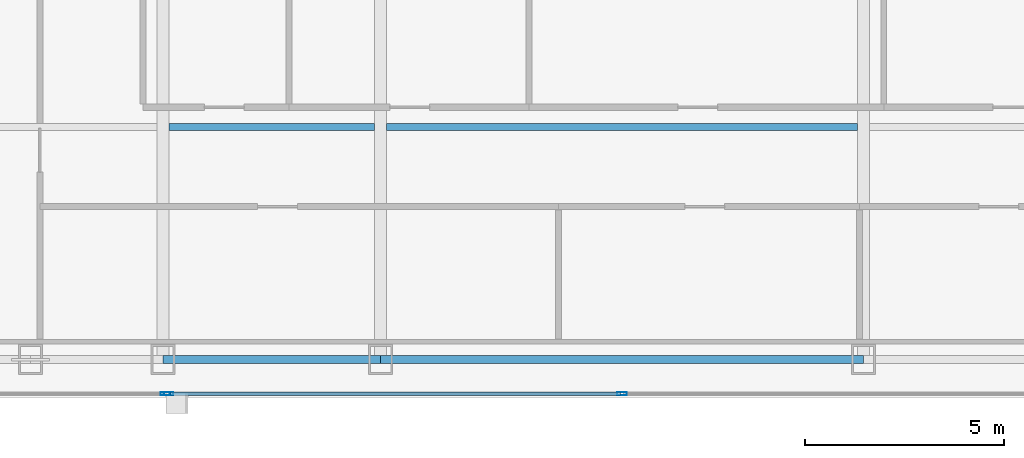
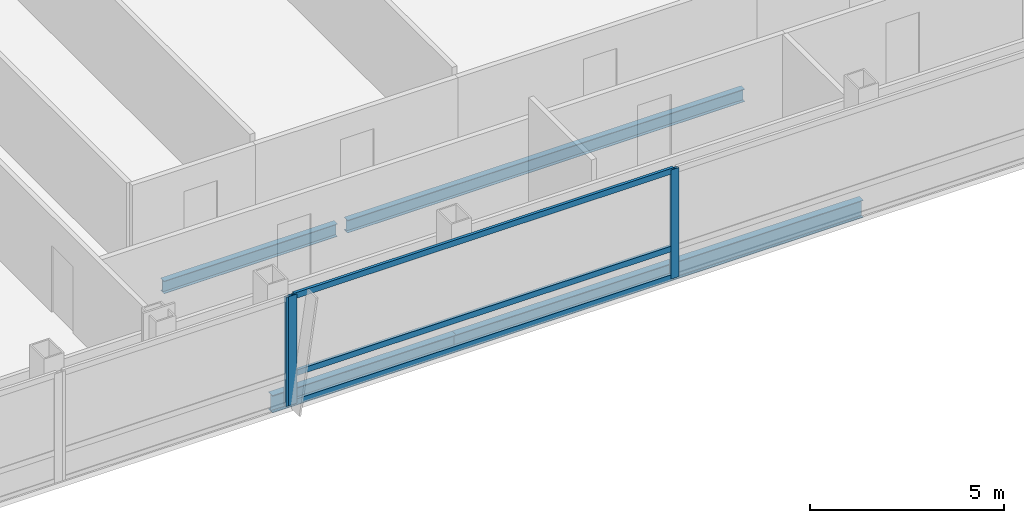
# One storey, part 8 of 30: 6 members, 4 beams, 2 elements without a shape of their own.
"""IFC4 building model written with IfcOpenShell, lengths in metres."""

from ifc_helpers import new_model, si_unit, direction, frame, origin, origin_2d, place, context, subcontext, project, spatial, hollow_rectangle, i_section, extrude, material, material_profile, profile_set, type_object, element, aggregate, save


model = new_model("IFC4")

# Units and contexts
model_context = context("Model", 3, precision=1e-05, world=origin(), true_north=direction((0.0, 1.0)))
body_context = subcontext(model_context, "Body", "Model", "MODEL_VIEW")
ifc_project = project(units=[si_unit("LENGTHUNIT", "METRE"), si_unit("AREAUNIT", "SQUARE_METRE"), si_unit("VOLUMEUNIT", "CUBIC_METRE"), si_unit("PLANEANGLEUNIT", "RADIAN"), si_unit("MASSUNIT", "GRAM", prefix="KILO")], contexts=[model_context])

# Site, building, storey
site_placement = place(None, origin())
site = spatial("IfcSite", under=ifc_project, at=site_placement, CompositionType="ELEMENT")
building_placement = place(site_placement, origin())
building = spatial("IfcBuilding", under=site, at=building_placement, Name="Khoronbel Lancet Exchange", CompositionType="ELEMENT")
storey_placement = place(building_placement, frame((0.0, 0.0, 269.800048828125)))
storey = spatial("IfcBuildingStorey", under=building, at=storey_placement, Name="L69", CompositionType="ELEMENT", Elevation=269.800048828125)

# Beams
ifc_material_1 = material(Name="Steel S355", Category="steel")
ifc_material_profile_1 = material_profile(ifc_material_1, i_section(OverallWidth=0.179931640625, OverallDepth=0.39990234375, WebThickness=0.008544921875, FlangeThickness=0.013427734375, at=origin_2d()), Name="IPE 400")
ifc_profile_set_1 = profile_set([ifc_material_profile_1], Name="Steel S355")
beam_type_1 = type_object("IfcBeamType", Name="BM-BJ5", PredefinedType="JOIST", material=ifc_profile_set_1)
beam_1_placement = place(storey_placement, frame((25.050048828125, 16.0, -0.360107421875), z_axis=(1.0, 0.0, 0.0), x_axis=(0.0, 1.0, 0.0)))
element("IfcBeam", 1, at=beam_1_placement, inside=storey, type_object=beam_type_1, Name="Level L69 secondary composite joist J02", PredefinedType="JOIST", context=body_context, shape_type="SweptSolid", body=[
    extrude(i_section(OverallWidth=0.179931640625, OverallDepth=0.39990234375, WebThickness=0.008544921875, FlangeThickness=0.013427734375, at=origin_2d()), origin(), (0.0, 0.0, 1.0), 5.175048828125),
])
beam_2_placement = place(storey_placement, frame((30.52490234375, 16.0, -0.360107421875), z_axis=(1.0, 0.0, 0.0), x_axis=(0.0, 1.0, 0.0)))
element("IfcBeam", 2, at=beam_2_placement, inside=storey, type_object=beam_type_1, Name="Level L69 secondary composite joist J03", PredefinedType="JOIST", context=body_context, shape_type="SweptSolid", body=[
    extrude(i_section(OverallWidth=0.179931640625, OverallDepth=0.39990234375, WebThickness=0.008544921875, FlangeThickness=0.013427734375, at=origin_2d()), origin(), (0.0, 0.0, 1.0), 11.85009765625),
])
ifc_material_profile_2 = material_profile(ifc_material_1, i_section(OverallWidth=0.2099609375, OverallDepth=0.550048828125, WebThickness=0.010986328125, FlangeThickness=0.01708984375, at=origin_2d()), Name="IPE 550")
ifc_profile_set_2 = profile_set([ifc_material_profile_2], Name="Steel S355")
beam_type_2 = type_object("IfcBeamType", Name="BM-BSP3", PredefinedType="SPANDREL", material=ifc_profile_set_2)
beam_3_placement = place(storey_placement, frame((24.89990234375, 10.14990234375, -0.43505859375), z_axis=(1.0, 0.0, 0.0), x_axis=(0.0, 1.0, 0.0)))
element("IfcBeam", 3, at=beam_3_placement, inside=storey, type_object=beam_type_2, Name="Level L69 perimeter spandrel beam SP04", PredefinedType="SPANDREL", context=body_context, shape_type="SweptSolid", body=[
    extrude(i_section(OverallWidth=0.2099609375, OverallDepth=0.550048828125, WebThickness=0.010986328125, FlangeThickness=0.01708984375, at=origin_2d()), origin(), (0.0, 0.0, 1.0), 5.47509765625),
])
beam_4_placement = place(storey_placement, frame((30.375, 10.14990234375, -0.43505859375), z_axis=(1.0, 0.0, 0.0), x_axis=(0.0, 1.0, 0.0)))
element("IfcBeam", 4, at=beam_4_placement, inside=storey, type_object=beam_type_2, Name="Level L69 perimeter spandrel beam SP05", PredefinedType="SPANDREL", context=body_context, shape_type="SweptSolid", body=[
    extrude(i_section(OverallWidth=0.2099609375, OverallDepth=0.550048828125, WebThickness=0.010986328125, FlangeThickness=0.01708984375, at=origin_2d()), origin(), (0.0, 0.0, 1.0), 12.14990234375),
])

# Curtain wall, member
ifc_material_2 = material(Name="Low-E Solar Control Insulating Glass", Category="glass")
curtain_wall_type = type_object("IfcCurtainWallType", Name="CW-3", PredefinedType="NOTDEFINED", material=ifc_material_2)
curtain_wall_1_placement = place(storey_placement, origin())
curtain_wall_1 = element("IfcCurtainWall", 5, at=curtain_wall_1_placement, inside=storey, type_object=curtain_wall_type, Name="Unitised curtain wall CW-L69-SWB", PredefinedType="NOTDEFINED")
ifc_material_3 = material(Name="Bronze-Anodised Aluminium 6063-T6", Category="aluminium")
ifc_material_profile_3 = material_profile(ifc_material_3, hollow_rectangle(XDim=0.0849609375, YDim=0.239990234375, WallThickness=0.006103515625, at=origin_2d()), Name="ALU MULLION 85x240")
ifc_profile_set_3 = profile_set([ifc_material_profile_3], Name="Bronze-Anodised Aluminium 6063-T6")
member_type_1 = type_object("IfcMemberType", Name="MEM-CWM1", PredefinedType="MULLION", material=ifc_profile_set_3)
member_1_placement = place(storey_placement, frame((24.95751953125, 9.2900390625, 0.0), z_axis=(0.0, 0.0, 1.0), x_axis=(0.0, 1.0, 0.0)))
member_1 = element("IfcMember", 6, at=member_1_placement, type_object=member_type_1, Name="CW3 mullion 2", PredefinedType="MULLION", context=body_context, shape_type="SweptSolid", body=[
    extrude(hollow_rectangle(XDim=0.0849609375, YDim=0.239990234375, WallThickness=0.006103515625, at=origin_2d()), origin(), (0.0, 0.0, 1.0), 3.43994140625),
])
aggregate(curtain_wall_1, [member_1])

# Curtain wall, members
curtain_wall_2_placement = place(storey_placement, origin())
curtain_wall_2 = element("IfcCurtainWall", 7, at=curtain_wall_2_placement, inside=storey, type_object=curtain_wall_type, Name="Unitised curtain wall CW-L69-SCV", PredefinedType="NOTDEFINED")
member_2_placement = place(storey_placement, frame((25.04248046875, 9.2900390625, 0.0), z_axis=(0.0, 0.0, 1.0), x_axis=(0.0, 1.0, 0.0)))
member_2 = element("IfcMember", 8, at=member_2_placement, type_object=member_type_1, Name="CW3 mullion 1", PredefinedType="MULLION", context=body_context, shape_type="SweptSolid", body=[
    extrude(hollow_rectangle(XDim=0.0849609375, YDim=0.239990234375, WallThickness=0.006103515625, at=origin_2d()), origin(), (0.0, 0.0, 1.0), 3.43994140625),
])
member_3_placement = place(storey_placement, frame((36.449951171875, 9.2900390625, 0.0), z_axis=(0.0, 0.0, 1.0), x_axis=(0.0, 1.0, 0.0)))
member_3 = element("IfcMember", 9, at=member_3_placement, type_object=member_type_1, Name="CW3 mullion 2", PredefinedType="MULLION", context=body_context, shape_type="SweptSolid", body=[
    extrude(hollow_rectangle(XDim=0.0849609375, YDim=0.239990234375, WallThickness=0.006103515625, at=origin_2d()), origin(), (0.0, 0.0, 1.0), 3.43994140625),
])
ifc_material_profile_4 = material_profile(ifc_material_3, hollow_rectangle(XDim=0.0849609375, YDim=0.179931640625, WallThickness=0.0048828125, at=origin_2d()), Name="ALU TRANSOM 85x180")
ifc_profile_set_4 = profile_set([ifc_material_profile_4], Name="Bronze-Anodised Aluminium 6063-T6")
member_type_2 = type_object("IfcMemberType", Name="MEM-CWT1", PredefinedType="USERDEFINED", material=ifc_profile_set_4)
member_4_placement = place(storey_placement, frame((25.0849609375, 9.2900390625, 0.04248046875), z_axis=(1.0, 0.0, 0.0), x_axis=(0.0, 1.0, 0.0)))
member_4 = element("IfcMember", 10, at=member_4_placement, type_object=member_type_2, Name="CW3 transom 1.1", ObjectType="TRANSOM", PredefinedType="USERDEFINED", context=body_context, shape_type="SweptSolid", body=[
    extrude(hollow_rectangle(XDim=0.0849609375, YDim=0.179931640625, WallThickness=0.0048828125, at=origin_2d()), origin(), (0.0, 0.0, 1.0), 11.322509765625),
])
member_5_placement = place(storey_placement, frame((25.0849609375, 9.2900390625, 0.949951171875), z_axis=(1.0, 0.0, 0.0), x_axis=(0.0, 1.0, 0.0)))
member_5 = element("IfcMember", 11, at=member_5_placement, type_object=member_type_2, Name="CW3 transom 1.2", ObjectType="TRANSOM", PredefinedType="USERDEFINED", context=body_context, shape_type="SweptSolid", body=[
    extrude(hollow_rectangle(XDim=0.0849609375, YDim=0.179931640625, WallThickness=0.0048828125, at=origin_2d()), origin(), (0.0, 0.0, 1.0), 11.322509765625),
])
member_6_placement = place(storey_placement, frame((25.0849609375, 9.2900390625, 3.3974609375), z_axis=(1.0, 0.0, 0.0), x_axis=(0.0, 1.0, 0.0)))
member_6 = element("IfcMember", 12, at=member_6_placement, type_object=member_type_2, Name="CW3 transom 1.3", ObjectType="TRANSOM", PredefinedType="USERDEFINED", context=body_context, shape_type="SweptSolid", body=[
    extrude(hollow_rectangle(XDim=0.0849609375, YDim=0.179931640625, WallThickness=0.0048828125, at=origin_2d()), origin(), (0.0, 0.0, 1.0), 11.322509765625),
])
aggregate(curtain_wall_2, [member_2, member_3, member_4, member_5, member_6])

save(model, "model.ifc")
